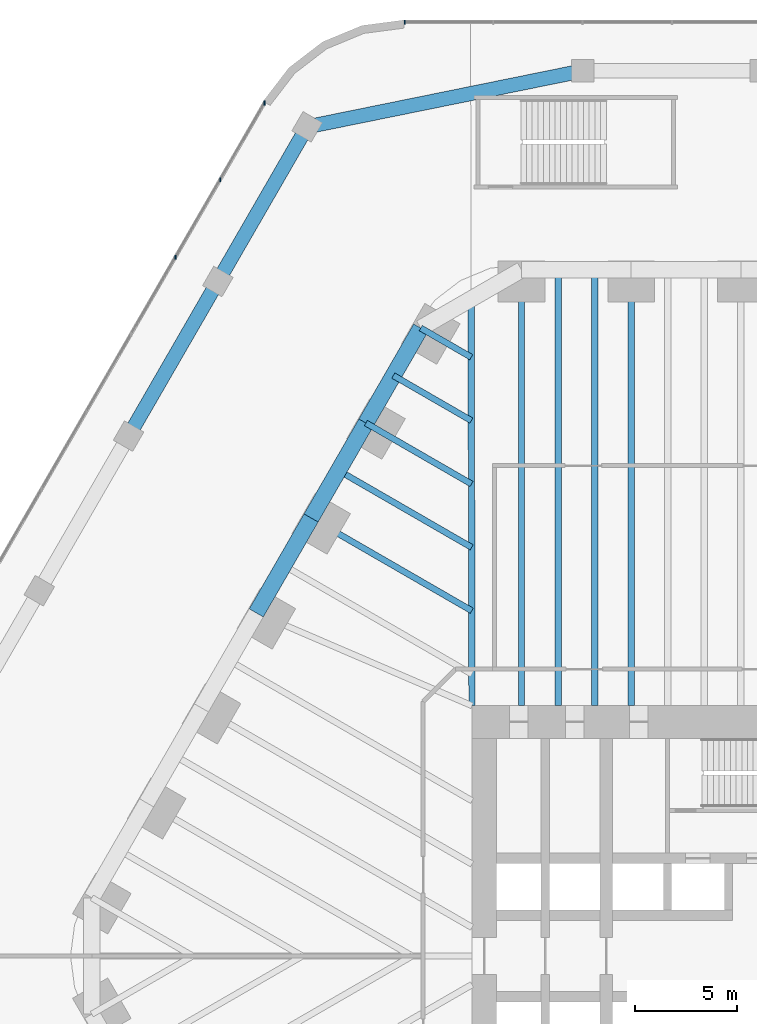
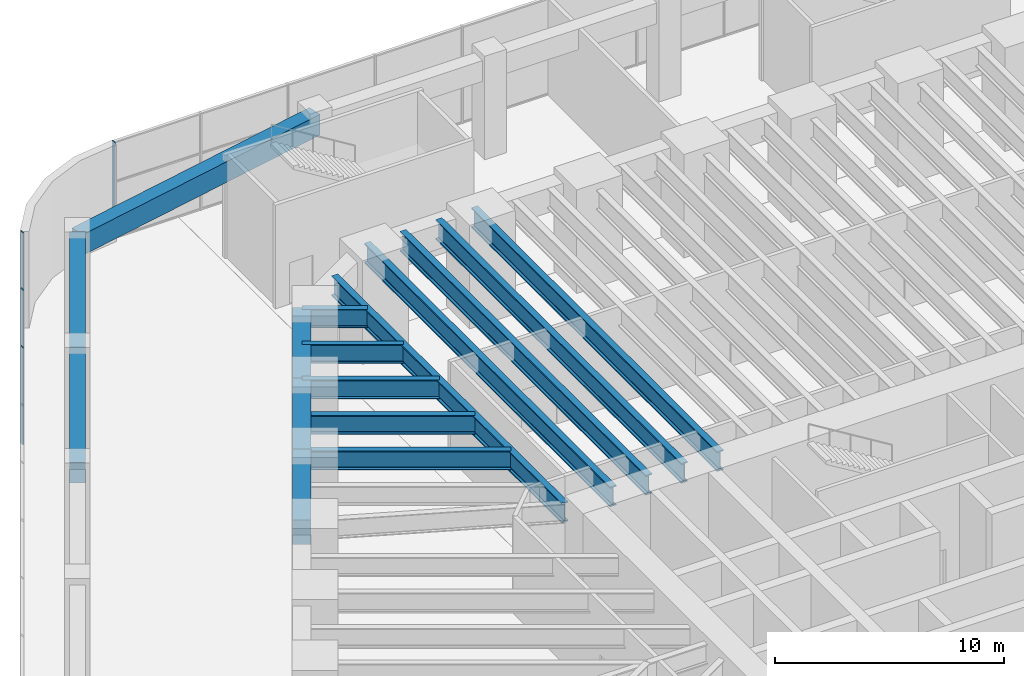
# One storey, part 16 of 31: 16 beams, 4 members, 2 elements without a shape of their own.
"""IFC4 building model written with IfcOpenShell, lengths in metres."""

from ifc_helpers import new_model, si_unit, direction, frame, origin, origin_2d, place, context, subcontext, project, spatial, rectangle, i_section, extrude, material, material_profile, profile_set, type_object, element, aggregate, save


model = new_model("IFC4")

# Units and contexts
model_context = context("Model", 3, precision=1e-05, world=origin(), true_north=direction((0.0, 1.0)))
body_context = subcontext(model_context, "Body", "Model", "MODEL_VIEW")
ifc_project = project(units=[si_unit("LENGTHUNIT", "METRE"), si_unit("AREAUNIT", "SQUARE_METRE"), si_unit("VOLUMEUNIT", "CUBIC_METRE"), si_unit("PLANEANGLEUNIT", "RADIAN"), si_unit("MASSUNIT", "GRAM", prefix="KILO")], contexts=[model_context])

# Site, building, storey
site_placement = place(None, origin())
site = spatial("IfcSite", under=ifc_project, at=site_placement, CompositionType="ELEMENT")
building_placement = place(site_placement, origin())
building = spatial("IfcBuilding", under=site, at=building_placement, Name="Tarfa Lantern Tower", CompositionType="ELEMENT")
storey_placement = place(building_placement, frame((0.0, 0.0, 13.0)))
storey = spatial("IfcBuildingStorey", under=building, at=storey_placement, Name="L02", CompositionType="ELEMENT", Elevation=13.0)

# Curtain wall, member
ifc_material_1 = material(Name="Aluminium framed curtain wall", Category="aluminium")
curtain_wall_type = type_object("IfcCurtainWallType", Name="CW7 PODIUM GLAZING 5150", PredefinedType="USERDEFINED", material=ifc_material_1)
curtain_wall_1_placement = place(storey_placement, origin())
curtain_wall_1 = element("IfcCurtainWall", 1, at=curtain_wall_1_placement, inside=storey, type_object=curtain_wall_type, Name="CW7 N L02", ObjectType="CURTAIN WALL", PredefinedType="USERDEFINED")
ifc_material_2 = material(Name="Aluminium mullion", Category="aluminium")
ifc_material_profile_1 = material_profile(ifc_material_2, rectangle(XDim=0.06494140625, YDim=0.199951171875, at=origin_2d()), Name="AL MULLION 65x200")
ifc_profile_set_1 = profile_set([ifc_material_profile_1], Name="Aluminium mullion")
member_type = type_object("IfcMemberType", Name="CWM1 MULLION 65x200", PredefinedType="MULLION", material=ifc_profile_set_1)
member_1_placement = place(storey_placement, frame((-21.90673828125, 45.89990234375, 0.0), z_axis=(0.0, 0.0, 1.0), x_axis=(1.0, 0.0, 0.0)))
member_1 = element("IfcMember", 2, at=member_1_placement, type_object=member_type, Name="CW7 mullion 11", PredefinedType="MULLION", context=body_context, shape_type="SweptSolid", body=[
    extrude(rectangle(XDim=0.06494140625, YDim=0.199951171875, at=origin_2d()), origin(), (0.0, 0.0, 1.0), 5.14990234375),
])
aggregate(curtain_wall_1, [member_1])

# Curtain wall, members
curtain_wall_2_placement = place(storey_placement, origin())
curtain_wall_2 = element("IfcCurtainWall", 3, at=curtain_wall_2_placement, inside=storey, type_object=curtain_wall_type, Name="CW7 NW L02", ObjectType="CURTAIN WALL", PredefinedType="USERDEFINED")
member_2_placement = place(storey_placement, frame((-28.797119140625, 41.921875, 0.0), z_axis=(0.0, 0.0, 1.0), x_axis=(1.0, 0.0, 0.0)))
member_2 = element("IfcMember", 4, at=member_2_placement, type_object=member_type, Name="CW7 mullion 1", PredefinedType="MULLION", context=body_context, shape_type="SweptSolid", body=[
    extrude(rectangle(XDim=0.06494140625, YDim=0.199951171875, at=origin_2d()), origin(), (0.0, 0.0, 1.0), 5.14990234375),
])
member_3_placement = place(storey_placement, frame((-30.974853515625, 38.14990234375, 0.0), z_axis=(0.0, 0.0, 1.0), x_axis=(1.0, 0.0, 0.0)))
member_3 = element("IfcMember", 5, at=member_3_placement, type_object=member_type, Name="CW7 mullion 2", PredefinedType="MULLION", context=body_context, shape_type="SweptSolid", body=[
    extrude(rectangle(XDim=0.06494140625, YDim=0.199951171875, at=origin_2d()), origin(), (0.0, 0.0, 1.0), 5.14990234375),
])
member_4_placement = place(storey_placement, frame((-33.168701171875, 34.35009765625, 0.0), z_axis=(0.0, 0.0, 1.0), x_axis=(1.0, 0.0, 0.0)))
member_4 = element("IfcMember", 6, at=member_4_placement, type_object=member_type, Name="CW7 mullion 3", PredefinedType="MULLION", context=body_context, shape_type="SweptSolid", body=[
    extrude(rectangle(XDim=0.06494140625, YDim=0.199951171875, at=origin_2d()), origin(), (0.0, 0.0, 1.0), 5.14990234375),
])
aggregate(curtain_wall_2, [member_2, member_3, member_4])

# Beams
ifc_material_3 = material(Name="Concrete C80/95", Category="concrete")
ifc_material_profile_2 = material_profile(ifc_material_3, rectangle(XDim=0.800048828125, YDim=1.300048828125, at=origin_2d()), Name="RC 800x1300")
ifc_profile_set_2 = profile_set([ifc_material_profile_2], Name="Concrete C80/95")
beam_type_1 = type_object("IfcBeamType", Name="EB1 RC 800x1300", PredefinedType="SPANDREL", material=ifc_profile_set_2)
for number, where, z_axis, x_axis, name in (
    (7, (-21.119384765625, 30.860107421875, 4.5), (-0.499998287579, -0.866026392449, 0.0), (0.866026392449, -0.499998287579, 0.0), "Edge beam NW0"),
    (8, (-23.813720703125, 26.193359375, 4.5), (-0.499998287579, -0.866026392449, 0.0), (0.866026392449, -0.499998287579, 0.0), "Edge beam NW1"),
):
    element("IfcBeam", number, at=place(storey_placement, frame(where, z_axis=z_axis, x_axis=x_axis)), inside=storey, type_object=beam_type_1, Name=name, PredefinedType="SPANDREL", context=body_context, shape_type="SweptSolid", body=[
        extrude(rectangle(XDim=0.800048828125, YDim=1.300048828125, at=origin_2d()), origin(), (0.0, 0.0, 1.0), 5.388671875),
    ])
beam_1_placement = place(storey_placement, frame((-26.508056640625, 21.526611328125, 4.5), z_axis=(-0.500017906299, -0.866015065331, 0.0), x_axis=(0.866015065331, -0.500017906299, 0.0)))
element("IfcBeam", 9, at=beam_1_placement, inside=storey, type_object=beam_type_1, Name="Edge beam NW2", PredefinedType="SPANDREL", context=body_context, shape_type="SweptSolid", body=[
    extrude(rectangle(XDim=0.800048828125, YDim=1.300048828125, at=origin_2d()), origin(), (0.0, 0.0, 1.0), 5.388427734375),
])
ifc_material_profile_3 = material_profile(ifc_material_3, rectangle(XDim=0.699951171875, YDim=1.10009765625, at=origin_2d()), Name="RC 700x1100")
ifc_profile_set_3 = profile_set([ifc_material_profile_3], Name="Concrete C80/95")
beam_type_2 = type_object("IfcBeamType", Name="PB1 RC 700x1100", PredefinedType="BEAM", material=ifc_profile_set_3)
beam_2_placement = place(storey_placement, frame((-13.16357421875, 43.5, 4.60009765625), z_axis=(-0.979988342999, -0.199054885863, 0.0), x_axis=(0.199054885863, -0.979988342999, 0.0)))
element("IfcBeam", 10, at=beam_2_placement, inside=storey, type_object=beam_type_2, Name="Podium ring beam N4", PredefinedType="BEAM", context=body_context, shape_type="SweptSolid", body=[
    extrude(rectangle(XDim=0.699951171875, YDim=1.10009765625, at=origin_2d()), origin(), (0.0, 0.0, 1.0), 13.815185546875),
])
beam_3_placement = place(storey_placement, frame((-26.702392578125, 40.75, 4.60009765625), z_axis=(-0.50000179687, -0.866024366359, 0.0), x_axis=(0.866024366359, -0.50000179687, 0.0)))
element("IfcBeam", 11, at=beam_3_placement, inside=storey, type_object=beam_type_2, Name="Podium ring beam NW0", PredefinedType="BEAM", context=body_context, shape_type="SweptSolid", body=[
    extrude(rectangle(XDim=0.699951171875, YDim=1.10009765625, at=origin_2d()), origin(), (0.0, 0.0, 1.0), 8.77587890625),
])
beam_4_placement = place(storey_placement, frame((-31.09033203125, 33.14990234375, 4.60009765625), z_axis=(-0.500013843384, -0.866017411155, 0.0), x_axis=(0.866017411155, -0.500013843384, 0.0)))
element("IfcBeam", 12, at=beam_4_placement, inside=storey, type_object=beam_type_2, Name="Podium ring beam NW1", PredefinedType="BEAM", context=body_context, shape_type="SweptSolid", body=[
    extrude(rectangle(XDim=0.699951171875, YDim=1.10009765625, at=origin_2d()), origin(), (0.0, 0.0, 1.0), 8.775634765625),
])
ifc_material_4 = material(Name="Steel S460M", Category="steel")
ifc_material_profile_4 = material_profile(ifc_material_4, i_section(OverallWidth=0.302001953125, OverallDepth=1.008056640625, WebThickness=0.02099609375, FlangeThickness=0.0400390625, FilletRadius=0.030029296875, at=origin_2d()), Name="UB1016x305x349")
ifc_profile_set_4 = profile_set([ifc_material_profile_4], Name="Steel S460M")
beam_type_3 = type_object("IfcBeamType", Name="UB1016x305x349", PredefinedType="BEAM", material=ifc_profile_set_4)
beam_5_placement = place(storey_placement, frame((-21.119384765625, 30.860107421875, 4.64599609375), z_axis=(0.866012580594, -0.500022209759, 0.0), x_axis=(0.500022209759, 0.866012580594, 0.0)))
element("IfcBeam", 13, at=beam_5_placement, inside=storey, type_object=beam_type_3, Name="Floor beam NW0", PredefinedType="BEAM", context=body_context, shape_type="SweptSolid", body=[
    extrude(i_section(OverallWidth=0.302001953125, OverallDepth=1.008056640625, WebThickness=0.02099609375, FlangeThickness=0.0400390625, FilletRadius=0.030029296875, at=origin_2d()), origin(), (0.0, 0.0, 1.0), 2.866943359375),
])
beam_6_placement = place(storey_placement, frame((-23.813720703125, 26.193359375, 4.64599609375), z_axis=(0.866015997389, -0.500016292001, 0.0), x_axis=(0.500016292001, 0.866015997389, 0.0)))
element("IfcBeam", 14, at=beam_6_placement, inside=storey, type_object=beam_type_3, Name="Floor beam NW1", PredefinedType="BEAM", context=body_context, shape_type="SweptSolid", body=[
    extrude(i_section(OverallWidth=0.302001953125, OverallDepth=1.008056640625, WebThickness=0.02099609375, FlangeThickness=0.0400390625, FilletRadius=0.030029296875, at=origin_2d()), origin(), (0.0, 0.0, 1.0), 5.993408203125),
])
beam_7_placement = place(storey_placement, frame((-26.508056640625, 21.526611328125, 4.64599609375), z_axis=(0.866035355799, -0.49998276221, 0.0), x_axis=(0.49998276221, 0.866035355799, 0.0)))
element("IfcBeam", 15, at=beam_7_placement, inside=storey, type_object=beam_type_3, Name="Floor beam NW2", PredefinedType="BEAM", context=body_context, shape_type="SweptSolid", body=[
    extrude(i_section(OverallWidth=0.302001953125, OverallDepth=1.008056640625, WebThickness=0.02099609375, FlangeThickness=0.0400390625, FilletRadius=0.030029296875, at=origin_2d()), origin(), (0.0, 0.0, 1.0), 9.119873046875),
])
beam_8_placement = place(storey_placement, frame((-22.466552734375, 28.526611328125, 4.64599609375), z_axis=(0.866026823135, -0.499997541604, 0.0), x_axis=(0.499997541604, 0.866026823135, 0.0)))
element("IfcBeam", 16, at=beam_8_placement, inside=storey, type_object=beam_type_3, Name="Floor beam NW0M", PredefinedType="BEAM", context=body_context, shape_type="SweptSolid", body=[
    extrude(i_section(OverallWidth=0.302001953125, OverallDepth=1.008056640625, WebThickness=0.02099609375, FlangeThickness=0.0400390625, FilletRadius=0.030029296875, at=origin_2d()), origin(), (0.0, 0.0, 1.0), 4.43017578125),
])
beam_9_placement = place(storey_placement, frame((-25.160888671875, 23.860107421875, 4.64599609375), z_axis=(0.866009650502, -0.500027284493, 0.0), x_axis=(0.500027284493, 0.866009650502, 0.0)))
element("IfcBeam", 17, at=beam_9_placement, inside=storey, type_object=beam_type_3, Name="Floor beam NW1M", PredefinedType="BEAM", context=body_context, shape_type="SweptSolid", body=[
    extrude(i_section(OverallWidth=0.302001953125, OverallDepth=1.008056640625, WebThickness=0.02099609375, FlangeThickness=0.0400390625, FilletRadius=0.030029296875, at=origin_2d()), origin(), (0.0, 0.0, 1.0), 7.556640625),
])
ifc_material_profile_5 = material_profile(ifc_material_4, i_section(OverallWidth=0.314208984375, OverallDepth=1.055908203125, WebThickness=0.035888671875, FlangeThickness=0.06396484375, FilletRadius=0.030029296875, at=origin_2d()), Name="UB1016x305x584")
ifc_profile_set_5 = profile_set([ifc_material_profile_5], Name="Steel S460M")
beam_type_4 = type_object("IfcBeamType", Name="UB1016x305x584", PredefinedType="BEAM", material=ifc_profile_set_5)
beam_10_placement = place(storey_placement, frame((-18.60009765625, 12.300048828125, 4.6220703125), z_axis=(-0.00212508222, 0.99999774201, 0.0), x_axis=(-0.99999774201, -0.00212508222, 0.0)))
element("IfcBeam", 18, at=beam_10_placement, inside=storey, type_object=beam_type_4, Name="Hip girder NW", PredefinedType="BEAM", context=body_context, shape_type="SweptSolid", body=[
    extrude(i_section(OverallWidth=0.314208984375, OverallDepth=1.055908203125, WebThickness=0.035888671875, FlangeThickness=0.06396484375, FilletRadius=0.030029296875, at=origin_2d()), origin(), (0.0, 0.0, 1.0), 19.989990234375),
])
for number, where, z_axis, x_axis, name in (
    (19, (-10.777099609375, 33.719970703125, 4.6220703125), (0.0, -1.0, 0.0), (1.0, 0.0, 0.0), "Floor beam N5"),
    (20, (-16.165771484375, 33.719970703125, 4.6220703125), (0.0, -1.0, 0.0), (1.0, 0.0, 0.0), "Floor beam N6"),
    (21, (-12.573486328125, 33.719970703125, 4.6220703125), (0.0, -1.0, 0.0), (1.0, 0.0, 0.0), "Floor beam N5M1"),
    (22, (-14.36962890625, 33.719970703125, 4.6220703125), (0.0, -1.0, 0.0), (1.0, 0.0, 0.0), "Floor beam N5M2"),
):
    element("IfcBeam", number, at=place(storey_placement, frame(where, z_axis=z_axis, x_axis=x_axis)), inside=storey, type_object=beam_type_4, Name=name, PredefinedType="BEAM", context=body_context, shape_type="SweptSolid", body=[
        extrude(i_section(OverallWidth=0.314208984375, OverallDepth=1.055908203125, WebThickness=0.035888671875, FlangeThickness=0.06396484375, FilletRadius=0.030029296875, at=origin_2d()), origin(), (0.0, 0.0, 1.0), 21.419921875),
    ])

save(model, "model.ifc")
